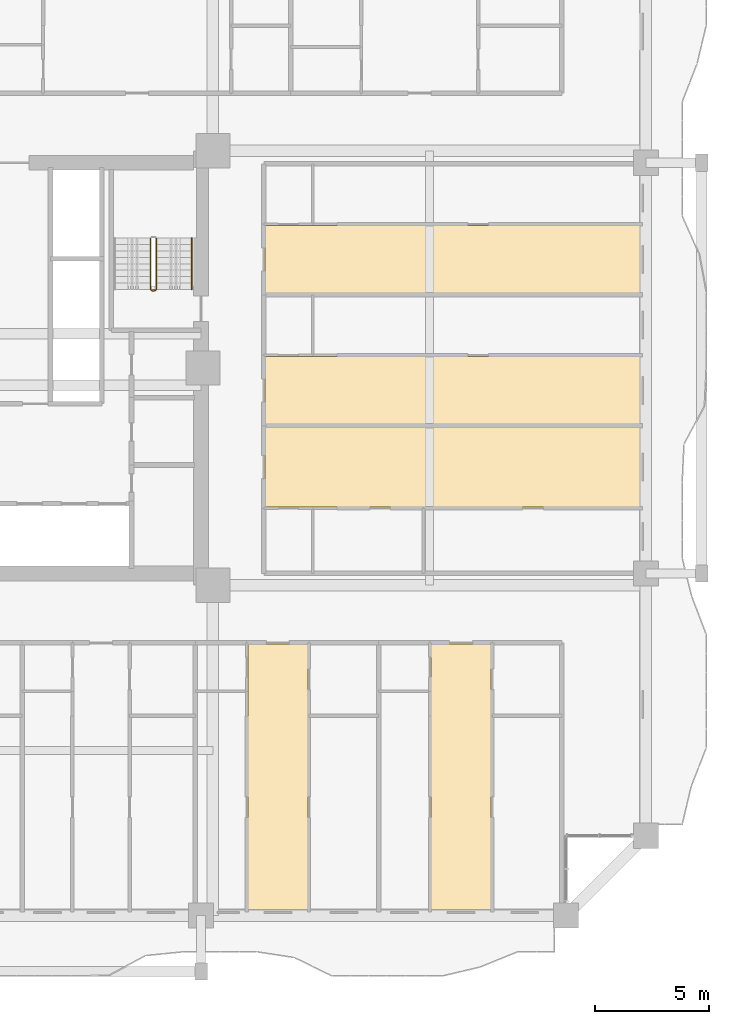
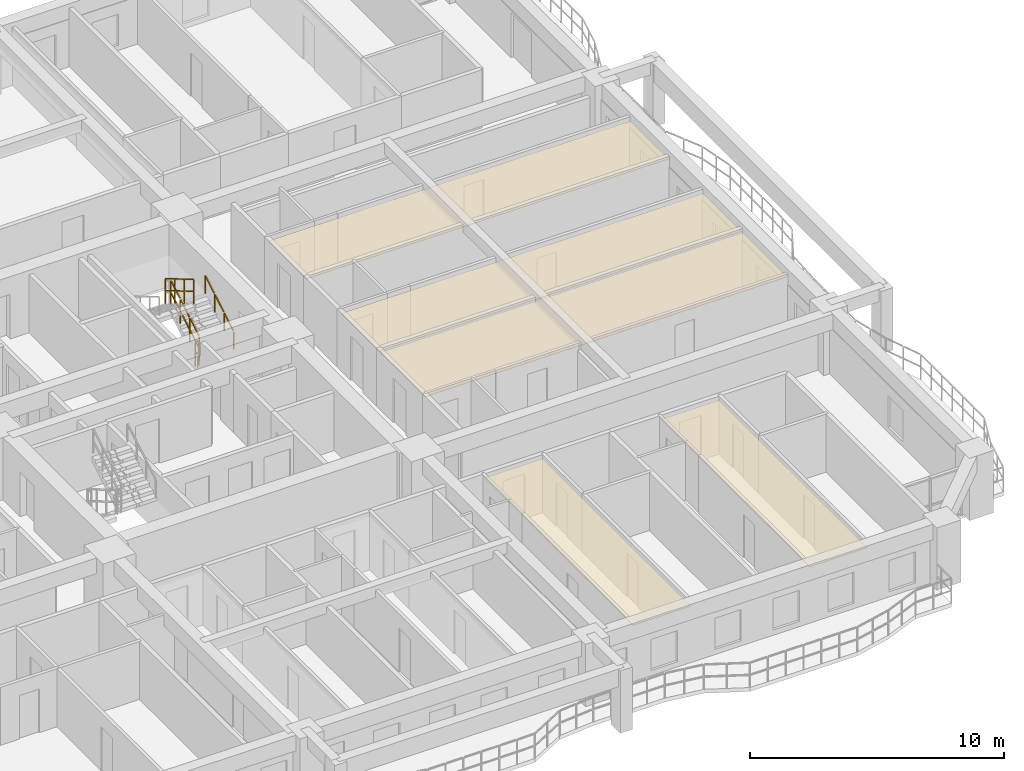
# One storey, part 26 of 28: 5 coverings, 4 railings.
"""IFC4 building model written with IfcOpenShell, lengths in metres."""

import ifcopenshell
import ifcopenshell.guid

model = None  # the IFC model being written
_history = None  # IfcOwnerHistory: only IFC2X3 demands one
_inside = {}  # id of a spatial element -> (the spatial element, [elements in it])
_under = {}  # id of a project, library or spatial element -> (it, [spatial elements below it])
_declared = {}  # id of a project -> (the project, [libraries it declares])
_typed = {}  # id of a type object -> (the type object, [elements of that type])
_made_of = {}  # id of a material, layer set ... -> (it, [elements and type objects made of it])


def new_model(schema):
    """Start an empty IFC model of exactly this schema.

    Asked for "IFC4X3", IfcOpenShell would pick the latest addendum, in which some entities
    have other attributes; the version numbers below select the first issue.
    IFC2X3 requires an IfcOwnerHistory on every rooted entity: one is made here for all.
    """
    global model, _history
    if schema == "IFC4X3":
        model = ifcopenshell.file(schema_version=(4, 3, 0, 0))
    else:
        model = ifcopenshell.file(schema=schema)
    _inside.clear()
    _under.clear()
    _declared.clear()
    _typed.clear()
    _made_of.clear()
    _history = None
    if model.schema == "IFC2X3":
        org = make("IfcOrganization", Name="unknown")
        user = make(
            "IfcPersonAndOrganization",
            ThePerson=make("IfcPerson", FamilyName="unknown"),
            TheOrganization=org,
        )
        app = make(
            "IfcApplication",
            ApplicationDeveloper=org,
            Version="unknown",
            ApplicationFullName="unknown",
            ApplicationIdentifier="unknown",
        )
        _history = make(
            "IfcOwnerHistory",
            OwningUser=user,
            OwningApplication=app,
            ChangeAction="ADDED",
            CreationDate=0,
        )
    return model


def make(cls, **values):
    """One entity of the class cls with the attributes given. An attribute that is None is left unset."""
    return model.create_entity(
        cls, **{name: value for name, value in values.items() if value is not None}
    )


def rooted(cls, **values):
    """An entity with a GlobalId (a new one), such as an element, a storey or a relation."""
    return make(cls, GlobalId=ifcopenshell.guid.new(), OwnerHistory=_history, **values)


def si_unit(unit_type, name, prefix=None):
    """IfcSIUnit, for example si_unit("LENGTHUNIT", "METRE", prefix="MILLI")."""
    return make("IfcSIUnit", UnitType=unit_type, Prefix=prefix, Name=name)


def assignment(units):
    """IfcUnitAssignment: the units of a project."""
    return None if units is None else make("IfcUnitAssignment", Units=units)


def point(xyz):
    """IfcCartesianPoint."""
    return None if xyz is None else make("IfcCartesianPoint", Coordinates=xyz)


def direction(xyz):
    """IfcDirection."""
    return None if xyz is None else make("IfcDirection", DirectionRatios=xyz)


def frame(location, z_axis=None, x_axis=None):
    """IfcAxis2Placement3D, a coordinate frame: its origin and axes. An axis left out is left unset."""
    return make(
        "IfcAxis2Placement3D",
        Location=point(location),
        Axis=direction(z_axis),
        RefDirection=direction(x_axis),
    )


def frame_2d(location, x_axis=None):
    """IfcAxis2Placement2D, a coordinate frame in the plane: its origin and x axis."""
    return make(
        "IfcAxis2Placement2D", Location=point(location), RefDirection=direction(x_axis)
    )


def origin():
    """The frame at (0, 0, 0) with its axes left unset."""
    return frame((0.0, 0.0, 0.0))


def origin_2d():
    """The frame at (0, 0) in the plane with its x axis left unset."""
    return frame_2d((0.0, 0.0))


def place(relative_to, where):
    """IfcLocalPlacement: puts the frame where relative to a parent placement (None: the world)."""
    return make(
        "IfcLocalPlacement", PlacementRelTo=relative_to, RelativePlacement=where
    )


def context(
    kind, dimensions, precision=None, world=None, true_north=None, identifier=None
):
    """IfcGeometricRepresentationContext, for example the 3D "Model" context."""
    return make(
        "IfcGeometricRepresentationContext",
        ContextIdentifier=identifier,
        ContextType=kind,
        CoordinateSpaceDimension=dimensions,
        Precision=precision,
        WorldCoordinateSystem=world,
        TrueNorth=true_north,
    )


def subcontext(parent, identifier, kind, view, scale=None):
    """IfcGeometricRepresentationSubContext, for example "Body" below "Model"."""
    return make(
        "IfcGeometricRepresentationSubContext",
        ContextIdentifier=identifier,
        ContextType=kind,
        ParentContext=parent,
        TargetScale=scale,
        TargetView=view,
    )


def project(units=None, contexts=None):
    """IfcProject with its units and contexts."""
    return rooted(
        "IfcProject",
        Name="project",
        RepresentationContexts=contexts,
        UnitsInContext=assignment(units),
    )


def spatial(cls, under=None, at=None, **own):
    """A site, building, storey or space (cls), placed at a placement, below another one or the project."""
    s = rooted(cls, ObjectPlacement=at, **own)
    if under is not None:
        _under.setdefault(under.id(), (under, []))[1].append(s)
    return s


def polyline(points):
    """IfcPolyline through the points."""
    return make("IfcPolyline", Points=[point(p) for p in points])


def profile(cls, at=None, kind="AREA", **sizes):
    """A parametric profile (cls). Its sizes go by their IFC names, for example OverallWidth=200.0."""
    return make(cls, ProfileType=kind, Position=at, **sizes)


def rectangle(**sizes):
    """IfcRectangleProfileDef."""
    return profile("IfcRectangleProfileDef", **sizes)


def outline(outer, holes=None, kind="AREA"):
    """IfcArbitraryClosedProfileDef: a profile drawn as a closed curve; with holes, ...WithVoids."""
    if holes is None:
        return make("IfcArbitraryClosedProfileDef", ProfileType=kind, OuterCurve=outer)
    return make(
        "IfcArbitraryProfileDefWithVoids",
        ProfileType=kind,
        OuterCurve=outer,
        InnerCurves=holes,
    )


def extrude(swept, where, along, depth):
    """IfcExtrudedAreaSolid: the profile swept, set in the frame where, extruded along a direction by depth."""
    return make(
        "IfcExtrudedAreaSolid",
        SweptArea=swept,
        Position=where,
        ExtrudedDirection=direction(along),
        Depth=depth,
    )


def shape(context_of_items, identifier, shape_type, items):
    """IfcShapeRepresentation: the items that make up one representation, for example the "Body"."""
    return make(
        "IfcShapeRepresentation",
        ContextOfItems=context_of_items,
        RepresentationIdentifier=identifier,
        RepresentationType=shape_type,
        Items=items,
    )


def material(Name=None, Category=None):
    """IfcMaterial."""
    return make("IfcMaterial", Name=Name, Category=Category)


def layer(
    of_material, thickness, ventilated=None, Name=None, Category=None, Priority=None
):
    """IfcMaterialLayer: one layer of a wall or slab, of a material (None: an air gap)."""
    return make(
        "IfcMaterialLayer",
        Material=of_material,
        LayerThickness=thickness,
        IsVentilated=ventilated,
        Name=Name,
        Category=Category,
        Priority=Priority,
    )


def layer_set(layers, Name=None):
    """IfcMaterialLayerSet."""
    return make("IfcMaterialLayerSet", MaterialLayers=layers, LayerSetName=Name)


def made_of(thing, what):
    """Note that an element or type object is made of a material, layer set ...; save() writes the relation."""
    if what is not None:
        _made_of.setdefault(what.id(), (what, []))[1].append(thing)
    return thing


def type_object(cls, material=None, **own):
    """A type object (cls), such as IfcWallType, which elements share."""
    return made_of(rooted(cls, **own), material)


def element(
    cls,
    number,
    at=None,
    inside=None,
    cuts=None,
    type_object=None,
    material=None,
    context=None,
    identifier="Body",
    shape_type=None,
    held_by="IfcProductDefinitionShape",
    body=None,
    shapes=None,
    **own,
):
    """One element of the class cls, such as IfcWall. Its Tag is "e" and its number.

    at: its placement. inside: the storey or other place that contains it. cuts: it is an
    opening in that element (IfcRelVoidsElement). A single representation is given by context,
    identifier, shape_type and body (its items); several are given by shapes. held_by: the class
    of the entity that holds the representations. save() writes the other relations.
    """
    e = rooted(cls, Tag="e%d" % number, ObjectPlacement=at, **own)
    if body is not None:
        shapes = [shape(context, identifier, shape_type, body)]
    if shapes is not None:
        e.Representation = make(held_by, Representations=shapes)
    if inside is not None:
        _inside.setdefault(inside.id(), (inside, []))[1].append(e)
    if cuts is not None:
        rooted(
            "IfcRelVoidsElement", RelatingBuildingElement=cuts, RelatedOpeningElement=e
        )
    if type_object is not None:
        _typed.setdefault(type_object.id(), (type_object, []))[1].append(e)
    return made_of(e, material)


def aggregate(whole, parts):
    """IfcRelAggregates: a whole, such as a stair, and the parts it consists of."""
    return rooted("IfcRelAggregates", RelatingObject=whole, RelatedObjects=parts)


def save(model, path):
    """Write the relations noted so far, then the file.

    IfcRelAggregates (storeys below a building ...), IfcRelContainedInSpatialStructure (elements
    in a storey), IfcRelDefinesByType, IfcRelAssociatesMaterial and IfcRelDeclares: one each for
    every whole, place, type object, material and project.
    """
    for whole, parts in _under.values():
        aggregate(whole, parts)
    for where, things in _inside.values():
        rooted(
            "IfcRelContainedInSpatialStructure",
            RelatedElements=things,
            RelatingStructure=where,
        )
    for kind, things in _typed.values():
        rooted("IfcRelDefinesByType", RelatedObjects=things, RelatingType=kind)
    for what, things in _made_of.values():
        rooted("IfcRelAssociatesMaterial", RelatedObjects=things, RelatingMaterial=what)
    for by, libraries in _declared.values():
        rooted("IfcRelDeclares", RelatingContext=by, RelatedDefinitions=libraries)
    model.write(path)


model = new_model("IFC4")

# Units and contexts
model_context = context("Model", 3, precision=1e-05, world=origin(), true_north=direction((0.0, 1.0)))
body_context = subcontext(model_context, "Body", "Model", "MODEL_VIEW")
ifc_project = project(units=[si_unit("LENGTHUNIT", "METRE"), si_unit("AREAUNIT", "SQUARE_METRE"), si_unit("VOLUMEUNIT", "CUBIC_METRE"), si_unit("PLANEANGLEUNIT", "RADIAN"), si_unit("MASSUNIT", "GRAM", prefix="KILO")], contexts=[model_context])

# Site, building, storey
site_placement = place(None, origin())
site = spatial("IfcSite", under=ifc_project, at=site_placement, CompositionType="ELEMENT")
building_placement = place(site_placement, origin())
building = spatial("IfcBuilding", under=site, at=building_placement, Name="Saelheon Loggia Tower", CompositionType="ELEMENT")
storey_placement = place(building_placement, frame((0.0, 0.0, 61.39990234375)))
storey = spatial("IfcBuildingStorey", under=building, at=storey_placement, Name="L19", CompositionType="ELEMENT", Elevation=61.39990234375)

# Coverings
ifc_material_1 = material(Name="Mineral-Fibre Acoustic Ceiling Board", Category="gypsum")
ifc_layer = layer(ifc_material_1, 0.02490234375)
ifc_layer_set = layer_set([ifc_layer], Name="Mineral-Fibre Acoustic Ceiling Board")
covering_type = type_object("IfcCoveringType", Name="Cov_Ceiling_Acoustic", PredefinedType="CEILING", material=ifc_layer_set)
covering_1_placement = place(storey_placement, frame((0.0, 0.0, 2.53515625)))
element("IfcCovering", 1, at=covering_1_placement, inside=storey, type_object=covering_type, Name="L19 Acoustic Suspended Ceiling", PredefinedType="CEILING", context=body_context, shape_type="SweptSolid", body=[
    extrude(outline(polyline([(46.549560546875, 3.199951171875), (49.181396484375, 3.199951171875), (49.181396484375, 14.89990234375), (46.549560546875, 14.89990234375), (46.549560546875, 3.199951171875)])), origin(), (0.0, 0.0, 1.0), 0.02490234375),
])
covering_2_placement = place(storey_placement, frame((0.0, 0.0, 2.53515625)))
element("IfcCovering", 2, at=covering_2_placement, inside=storey, type_object=covering_type, Name="L19 Acoustic Suspended Ceiling", PredefinedType="CEILING", context=body_context, shape_type="SweptSolid", body=[
    extrude(outline(polyline([(54.584716796875, 3.199951171875), (57.216552734375, 3.199951171875), (57.216552734375, 14.89990234375), (54.584716796875, 14.89990234375), (54.584716796875, 3.199951171875)])), origin(), (0.0, 0.0, 1.0), 0.02490234375),
])
covering_3_placement = place(storey_placement, frame((0.0, 0.0, 2.53515625)))
element("IfcCovering", 3, at=covering_3_placement, inside=storey, type_object=covering_type, Name="L19 Acoustic Suspended Ceiling", PredefinedType="CEILING", context=body_context, shape_type="SweptSolid", body=[
    extrude(outline(polyline([(47.300048828125, 20.89990234375), (63.800048828125, 20.89990234375), (63.800048828125, 24.412109375), (47.300048828125, 24.412109375), (47.300048828125, 20.89990234375)])), origin(), (0.0, 0.0, 1.0), 0.02490234375),
])
covering_4_placement = place(storey_placement, frame((0.0, 0.0, 2.53515625)))
element("IfcCovering", 4, at=covering_4_placement, inside=storey, type_object=covering_type, Name="L19 Acoustic Suspended Ceiling", PredefinedType="CEILING", context=body_context, shape_type="SweptSolid", body=[
    extrude(outline(polyline([(47.300048828125, 24.511962890625), (63.800048828125, 24.511962890625), (63.800048828125, 27.513916015625), (47.300048828125, 27.513916015625), (47.300048828125, 24.511962890625)])), origin(), (0.0, 0.0, 1.0), 0.02490234375),
])
covering_5_placement = place(storey_placement, frame((0.0, 0.0, 2.53515625)))
element("IfcCovering", 5, at=covering_5_placement, inside=storey, type_object=covering_type, Name="L19 Acoustic Suspended Ceiling", PredefinedType="CEILING", context=body_context, shape_type="SweptSolid", body=[
    extrude(outline(polyline([(47.300048828125, 30.256103515625), (63.800048828125, 30.256103515625), (63.800048828125, 33.2578125), (47.300048828125, 33.2578125), (47.300048828125, 30.256103515625)])), origin(), (0.0, 0.0, 1.0), 0.02490234375),
])

# Railings
ifc_material_2 = material(Name="Galvanised Steel S275 Stairwell Guardrail", Category="steel")
railing_type_1 = type_object("IfcRailingType", Name="Guard_StairWell_RL_STG", PredefinedType="GUARDRAIL", material=ifc_material_2)
railing_1_placement = place(storey_placement, frame((42.5400390625, 30.449951171875, 0.166748046875)))
element("IfcRailing", 6, at=railing_1_placement, inside=storey, type_object=railing_type_1, Name="L19 ST2 stair guard 1", PredefinedType="GUARDRAIL", context=body_context, shape_type="SweptSolid", body=[
    extrude(rectangle(XDim=0.048095703125, YDim=0.048095703125, at=origin_2d()), frame((0.0, 0.028564453125, 1.19287109375), z_axis=(0.0, 0.859305625298, 0.511462454469), x_axis=(-1.0, 0.0, 0.0)), (0.0, 0.0, 1.0), 0.802490234375),
    extrude(rectangle(XDim=0.048095703125, YDim=0.048095703125, at=origin_2d()), frame((0.0, 0.028564453125, 0.616943359375), z_axis=(0.0, 0.859305625298, 0.511462454469), x_axis=(-1.0, 0.0, 0.0)), (0.0, 0.0, 1.0), 0.802490234375),
    extrude(rectangle(XDim=0.048095703125, YDim=0.048095703125, at=origin_2d()), frame((0.0, 0.775146484375, 1.63720703125), z_axis=(0.0, 0.859305625298, 0.511462454469), x_axis=(-1.0, 0.0, 0.0)), (0.0, 0.0, 1.0), 0.802490234375),
    extrude(rectangle(XDim=0.048095703125, YDim=0.048095703125, at=origin_2d()), frame((0.0, 0.775146484375, 1.061279296875), z_axis=(0.0, 0.859305625298, 0.511462454469), x_axis=(-1.0, 0.0, 0.0)), (0.0, 0.0, 1.0), 0.802490234375),
    extrude(rectangle(XDim=0.048095703125, YDim=0.048095703125, at=origin_2d()), frame((0.0, 1.52197265625, 2.081787109375), z_axis=(0.0, 0.859305625298, 0.511462454469), x_axis=(-1.0, 0.0, 0.0)), (0.0, 0.0, 1.0), 0.802490234375),
    extrude(rectangle(XDim=0.048095703125, YDim=0.048095703125, at=origin_2d()), frame((0.0, 1.52197265625, 1.505859375), z_axis=(0.0, 0.859305625298, 0.511462454469), x_axis=(-1.0, 0.0, 0.0)), (0.0, 0.0, 1.0), 0.802490234375),
    extrude(rectangle(XDim=0.0419921875, YDim=0.0419921875, at=origin_2d()), origin(), (0.0, 0.0, 1.0), 1.14794921875),
    extrude(rectangle(XDim=0.0419921875, YDim=0.0419921875, at=origin_2d()), frame((0.0, 0.74658203125, 0.4443359375)), (0.0, 0.0, 1.0), 1.14794921875),
    extrude(rectangle(XDim=0.0419921875, YDim=0.0419921875, at=origin_2d()), frame((0.0, 1.493408203125, 0.888916015625)), (0.0, 0.0, 1.0), 1.14794921875),
    extrude(rectangle(XDim=0.0419921875, YDim=0.0419921875, at=origin_2d()), frame((0.0, 2.239990234375, 1.333251953125)), (0.0, 0.0, 1.0), 1.14794921875),
])
railing_2_placement = place(storey_placement, frame((42.280029296875, 32.68994140625, 1.666748046875)))
element("IfcRailing", 7, at=railing_2_placement, inside=storey, type_object=railing_type_1, Name="L19 ST2 stair guard 3", PredefinedType="GUARDRAIL", context=body_context, shape_type="SweptSolid", body=[
    extrude(rectangle(XDim=0.048095703125, YDim=0.048095703125, at=origin_2d()), frame((0.0, -0.028564453125, 1.19287109375), z_axis=(0.0, -0.859305625298, 0.511462454469), x_axis=(1.0, 0.0, 0.0)), (0.0, 0.0, 1.0), 0.802490234375),
    extrude(rectangle(XDim=0.048095703125, YDim=0.048095703125, at=origin_2d()), frame((0.0, -0.028564453125, 0.616943359375), z_axis=(0.0, -0.859305625298, 0.511462454469), x_axis=(1.0, 0.0, 0.0)), (0.0, 0.0, 1.0), 0.802490234375),
    extrude(rectangle(XDim=0.048095703125, YDim=0.048095703125, at=origin_2d()), frame((0.0, -0.775146484375, 1.63720703125), z_axis=(0.0, -0.859305625298, 0.511462454469), x_axis=(1.0, 0.0, 0.0)), (0.0, 0.0, 1.0), 0.802490234375),
    extrude(rectangle(XDim=0.048095703125, YDim=0.048095703125, at=origin_2d()), frame((0.0, -0.775146484375, 1.061279296875), z_axis=(0.0, -0.859305625298, 0.511462454469), x_axis=(1.0, 0.0, 0.0)), (0.0, 0.0, 1.0), 0.802490234375),
    extrude(rectangle(XDim=0.048095703125, YDim=0.048095703125, at=origin_2d()), frame((0.0, -1.52197265625, 2.081787109375), z_axis=(0.0, -0.859305625298, 0.511462454469), x_axis=(1.0, 0.0, 0.0)), (0.0, 0.0, 1.0), 0.802490234375),
    extrude(rectangle(XDim=0.048095703125, YDim=0.048095703125, at=origin_2d()), frame((0.0, -1.52197265625, 1.505859375), z_axis=(0.0, -0.859305625298, 0.511462454469), x_axis=(1.0, 0.0, 0.0)), (0.0, 0.0, 1.0), 0.802490234375),
    extrude(rectangle(XDim=0.0419921875, YDim=0.0419921875, at=origin_2d()), origin(), (0.0, 0.0, 1.0), 1.14794921875),
    extrude(rectangle(XDim=0.0419921875, YDim=0.0419921875, at=origin_2d()), frame((0.0, -0.74658203125, 0.4443359375)), (0.0, 0.0, 1.0), 1.14794921875),
    extrude(rectangle(XDim=0.0419921875, YDim=0.0419921875, at=origin_2d()), frame((0.0, -1.493408203125, 0.888916015625)), (0.0, 0.0, 1.0), 1.14794921875),
    extrude(rectangle(XDim=0.0419921875, YDim=0.0419921875, at=origin_2d()), frame((0.0, -2.239990234375, 1.333251953125)), (0.0, 0.0, 1.0), 1.14794921875),
])
railing_3_placement = place(storey_placement, frame((42.489990234375, 30.39990234375, 0.0)))
element("IfcRailing", 8, at=railing_3_placement, inside=storey, type_object=railing_type_1, Name="L19 ST2 stair guard 4", PredefinedType="GUARDRAIL", context=body_context, shape_type="SweptSolid", body=[
    extrude(rectangle(XDim=0.048095703125, YDim=0.048095703125, at=origin_2d()), frame((-0.033203125, 0.0, 1.17578125), z_axis=(-1.0, 0.0, 0.0), x_axis=(0.0, -1.0, 0.0)), (0.0, 0.0, 1.0), 0.093505859375),
    extrude(rectangle(XDim=0.048095703125, YDim=0.048095703125, at=origin_2d()), frame((-0.033203125, 0.0, 0.60009765625), z_axis=(-1.0, 0.0, 0.0), x_axis=(0.0, -1.0, 0.0)), (0.0, 0.0, 1.0), 0.093505859375),
    extrude(rectangle(XDim=0.0419921875, YDim=0.0419921875, at=origin_2d()), origin(), (0.0, 0.0, 1.0), 1.14794921875),
    extrude(rectangle(XDim=0.0419921875, YDim=0.0419921875, at=origin_2d()), frame((-0.159912109375, 0.0, 0.0)), (0.0, 0.0, 1.0), 1.14794921875),
])
ifc_material_3 = material(Name="Stainless Steel 304 Tubular Handrail", Category="steel")
railing_type_2 = type_object("IfcRailingType", Name="Handrail_Stair_RL_HR1", PredefinedType="HANDRAIL", material=ifc_material_3)
railing_4_placement = place(storey_placement, frame((44.10009765625, 30.449951171875, 0.166748046875)))
element("IfcRailing", 9, at=railing_4_placement, inside=storey, type_object=railing_type_2, Name="L19 ST2 stair handrail 1", PredefinedType="HANDRAIL", context=body_context, shape_type="SweptSolid", body=[
    extrude(rectangle(XDim=0.048095703125, YDim=0.048095703125, at=origin_2d()), frame((0.0, 0.028564453125, 0.892822265625), z_axis=(0.0, 0.859305625298, 0.511462454469), x_axis=(-1.0, 0.0, 0.0)), (0.0, 0.0, 1.0), 0.802490234375),
    extrude(rectangle(XDim=0.048095703125, YDim=0.048095703125, at=origin_2d()), frame((0.0, 0.775146484375, 1.337158203125), z_axis=(0.0, 0.859305625298, 0.511462454469), x_axis=(-1.0, 0.0, 0.0)), (0.0, 0.0, 1.0), 0.802490234375),
    extrude(rectangle(XDim=0.048095703125, YDim=0.048095703125, at=origin_2d()), frame((0.0, 1.52197265625, 1.78173828125), z_axis=(0.0, 0.859305625298, 0.511462454469), x_axis=(-1.0, 0.0, 0.0)), (0.0, 0.0, 1.0), 0.802490234375),
    extrude(rectangle(XDim=0.0419921875, YDim=0.0419921875, at=origin_2d()), origin(), (0.0, 0.0, 1.0), 0.847900390625),
    extrude(rectangle(XDim=0.0419921875, YDim=0.0419921875, at=origin_2d()), frame((0.0, 0.74658203125, 0.4443359375)), (0.0, 0.0, 1.0), 0.847900390625),
    extrude(rectangle(XDim=0.0419921875, YDim=0.0419921875, at=origin_2d()), frame((0.0, 1.493408203125, 0.888916015625)), (0.0, 0.0, 1.0), 0.847900390625),
    extrude(rectangle(XDim=0.0419921875, YDim=0.0419921875, at=origin_2d()), frame((0.0, 2.239990234375, 1.333251953125)), (0.0, 0.0, 1.0), 0.847900390625),
])

save(model, "model.ifc")
